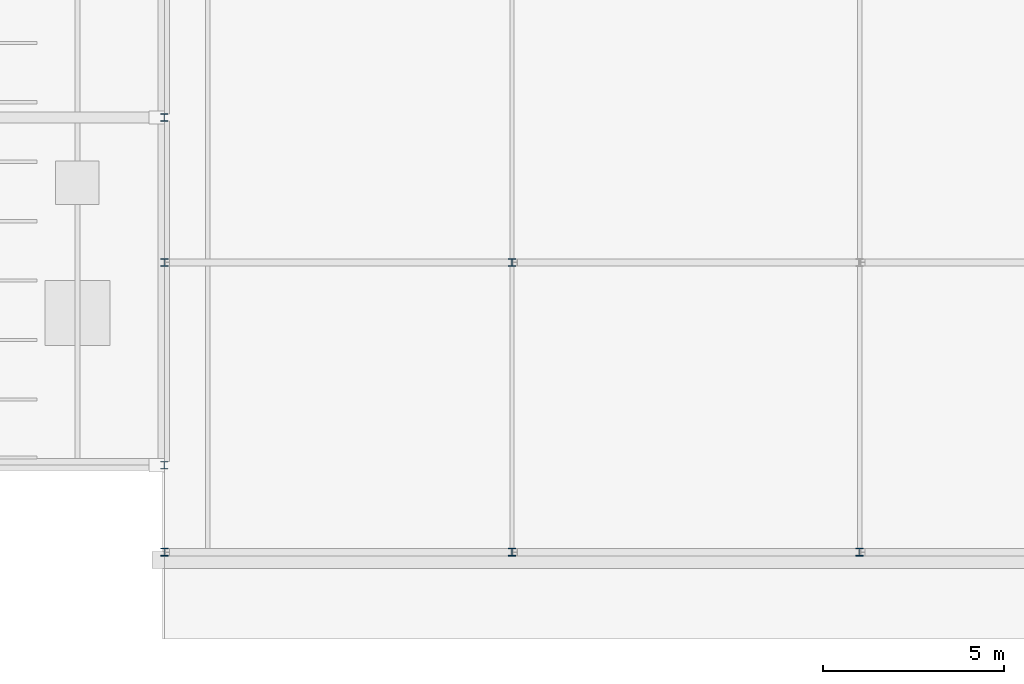
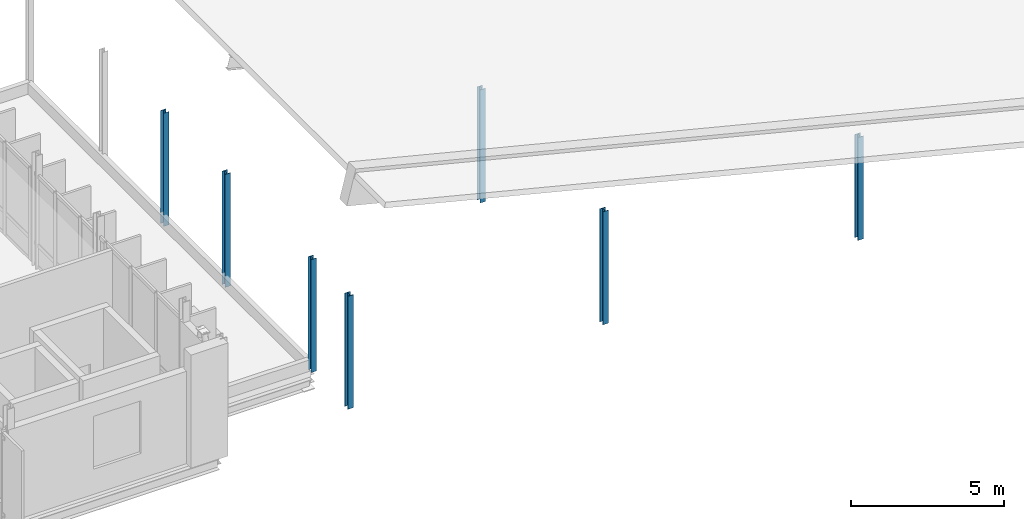
# One storey, part 12 of 93: 7 columns.
"""IFC4 building model written with IfcOpenShell, lengths in metres."""

from ifc_helpers import new_model, si_unit, direction, frame, origin, origin_2d, place, context, subcontext, project, spatial, i_section, extrude, material, material_profile, profile_set, type_object, element, save


model = new_model("IFC4")

# Units and contexts
model_context = context("Model", 3, precision=1e-05, world=origin(), true_north=direction((0.0, 1.0)))
body_context = subcontext(model_context, "Body", "Model", "MODEL_VIEW")
ifc_project = project(units=[si_unit("LENGTHUNIT", "METRE"), si_unit("AREAUNIT", "SQUARE_METRE"), si_unit("VOLUMEUNIT", "CUBIC_METRE"), si_unit("PLANEANGLEUNIT", "RADIAN"), si_unit("MASSUNIT", "GRAM", prefix="KILO")], contexts=[model_context])

# Site, building, storey
site_placement = place(None, origin())
site = spatial("IfcSite", under=ifc_project, at=site_placement, CompositionType="ELEMENT")
building_placement = place(site_placement, origin())
building = spatial("IfcBuilding", under=site, at=building_placement, Name="Dunescarp Central Library", CompositionType="ELEMENT")
storey_placement = place(building_placement, frame((0.0, 0.0, 14.10009765625)))
storey = spatial("IfcBuildingStorey", under=building, at=storey_placement, Name="L03", CompositionType="ELEMENT", Elevation=14.10009765625)

# Columns
ifc_material = material(Name="Steel S355JR", Category="steel")
ifc_material_profile_1 = material_profile(ifc_material, i_section(OverallWidth=0.20361328125, OverallDepth=0.203125, WebThickness=0.007080078125, FlangeThickness=0.010986328125, at=origin_2d()), Name="UC 203x203x46")
ifc_profile_set_1 = profile_set([ifc_material_profile_1], Name="Steel S355JR")
column_type_1 = type_object("IfcColumnType", Name="STR-COL-UC203X46", PredefinedType="COLUMN", material=ifc_profile_set_1)
for number, where, z_axis, x_axis, name in (
    (1, (129.60009765625, 7.199951171875, 0.0), (0.0, 0.0, 1.0), (1.0, 0.0, 0.0), "L03 column V5L-72"),
    (2, (129.60009765625, 16.800048828125, 0.0), (0.0, 0.0, 1.0), (1.0, 0.0, 0.0), "L03 column V5L-168"),
):
    element("IfcColumn", number, at=place(storey_placement, frame(where, z_axis=z_axis, x_axis=x_axis)), inside=storey, type_object=column_type_1, Name=name, PredefinedType="COLUMN", context=body_context, shape_type="SweptSolid", body=[
        extrude(i_section(OverallWidth=0.20361328125, OverallDepth=0.203125, WebThickness=0.007080078125, FlangeThickness=0.010986328125, at=origin_2d()), origin(), (0.0, 0.0, 1.0), 4.5),
    ])
ifc_material_profile_2 = material_profile(ifc_material, i_section(OverallWidth=0.206298828125, OverallDepth=0.2158203125, WebThickness=0.010009765625, FlangeThickness=0.017333984375, at=origin_2d()), Name="UC 203x203x71")
ifc_profile_set_2 = profile_set([ifc_material_profile_2], Name="Steel S355JR")
column_type_2 = type_object("IfcColumnType", Name="STR-COL-UC203X71", PredefinedType="COLUMN", material=ifc_profile_set_2)
for number, where, z_axis, x_axis, name in (
    (3, (129.60009765625, 4.800048828125, 0.0), (0.0, 0.0, 1.0), (1.0, 0.0, 0.0), "L03 column V5-1296-48"),
    (4, (129.60009765625, 12.800048828125, 0.0), (0.0, 0.0, 1.0), (1.0, 0.0, 0.0), "L03 column V5-1296-128"),
    (5, (139.199951171875, 4.800048828125, 0.0), (0.0, 0.0, 1.0), (1.0, 0.0, 0.0), "L03 column V5-1392-48"),
    (6, (139.199951171875, 12.800048828125, 0.0), (0.0, 0.0, 1.0), (1.0, 0.0, 0.0), "L03 column V5-1392-128"),
):
    element("IfcColumn", number, at=place(storey_placement, frame(where, z_axis=z_axis, x_axis=x_axis)), inside=storey, type_object=column_type_2, Name=name, PredefinedType="COLUMN", context=body_context, shape_type="SweptSolid", body=[
        extrude(i_section(OverallWidth=0.206298828125, OverallDepth=0.2158203125, WebThickness=0.010009765625, FlangeThickness=0.017333984375, at=origin_2d()), origin(), (0.0, 0.0, 1.0), 4.5),
    ])
column_placement = place(storey_placement, frame((148.800048828125, 4.800048828125, 0.0), z_axis=(0.0, 0.0, 1.0), x_axis=(1.0, 0.0, 0.0)))
element("IfcColumn", 7, at=column_placement, inside=storey, type_object=column_type_2, Name="L03 column V5-1488-48", PredefinedType="COLUMN", context=body_context, shape_type="SweptSolid", body=[
    extrude(i_section(OverallWidth=0.206298828125, OverallDepth=0.2158203125, WebThickness=0.010009765625, FlangeThickness=0.017333984375, at=origin_2d()), origin(), (0.0, 0.0, 1.0), 4.093017578125),
])

save(model, "model.ifc")
